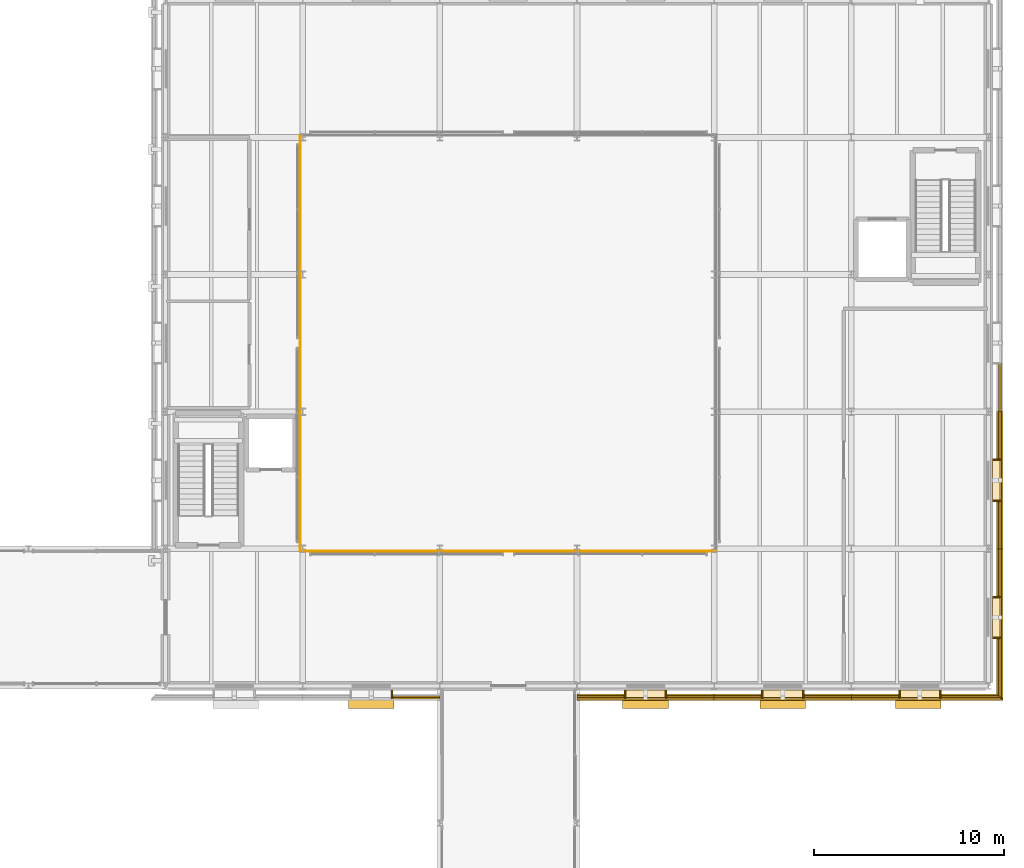
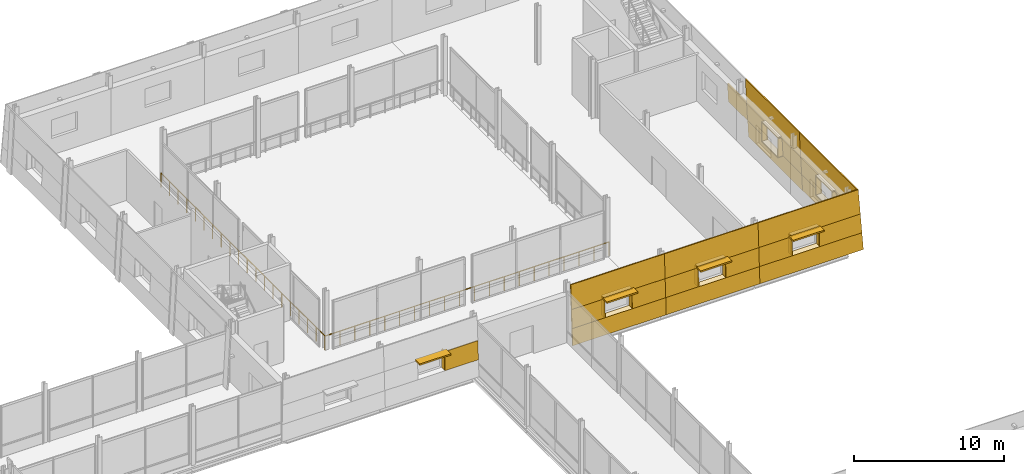
# One storey, part 119 of 121: 43 coverings, 4 shading devices, 2 railings.
"""IFC4 building model written with IfcOpenShell, lengths in metres."""

from ifc_helpers import new_model, si_unit, direction, frame, origin, origin_2d, place, context, subcontext, project, spatial, polyline, rectangle, circle, outline, extrude, material, layer, layer_set, type_object, element, save


model = new_model("IFC4")

# Units and contexts
model_context = context("Model", 3, precision=1e-05, world=origin(), true_north=direction((0.0, 1.0)))
body_context = subcontext(model_context, "Body", "Model", "MODEL_VIEW")
ifc_project = project(units=[si_unit("LENGTHUNIT", "METRE"), si_unit("AREAUNIT", "SQUARE_METRE"), si_unit("VOLUMEUNIT", "CUBIC_METRE"), si_unit("PLANEANGLEUNIT", "RADIAN"), si_unit("MASSUNIT", "GRAM", prefix="KILO")], contexts=[model_context])

# Site, building, storey
site_placement = place(None, origin())
site = spatial("IfcSite", under=ifc_project, at=site_placement, CompositionType="ELEMENT")
building_placement = place(site_placement, origin())
building = spatial("IfcBuilding", under=site, at=building_placement, Name="Narikvali Park Central Library", CompositionType="ELEMENT")
storey_placement = place(building_placement, frame((0.0, 0.0, 5.39990234375)))
storey = spatial("IfcBuildingStorey", under=building, at=storey_placement, Name="L01", CompositionType="ELEMENT", Elevation=5.39990234375)

# Railings
ifc_material_1 = material(Name="Laminated Tempered Glass and Stainless Steel", Category="steel")
ifc_layer_1 = layer(ifc_material_1, 0.06005859375, Name="Laminated Tempered Glass and Stainless Steel")
ifc_layer_set_1 = layer_set([ifc_layer_1], Name="Laminated Tempered Glass and Stainless Steel")
railing_type = type_object("IfcRailingType", Name="Atrium Void Tempered Glass Guardrail 1150", PredefinedType="GUARDRAIL", material=ifc_layer_set_1)
railing_1_placement = place(storey_placement, frame((129.47998046875, 86.280029296875, 0.0)))
element("IfcRailing", 1, at=railing_1_placement, inside=storey, type_object=railing_type, Name="V3 L01 Void Edge Guardrail S", PredefinedType="GUARDRAIL", context=body_context, shape_type="SweptSolid", body=[
    extrude(circle(Radius=0.02392578125, at=origin_2d()), frame((0.0, 0.0, 1.1259765625), z_axis=(1.0, 0.0, 0.0), x_axis=(0.0, 1.0, 0.0)), (0.0, 0.0, 1.0), 21.840087890625),
    extrude(circle(Radius=0.02099609375, at=origin_2d()), origin(), (0.0, 0.0, 1.0), 1.101806640625),
    extrude(circle(Radius=0.02099609375, at=origin_2d()), frame((1.1494140625, 0.0, 0.0)), (0.0, 0.0, 1.0), 1.101806640625),
    extrude(circle(Radius=0.02099609375, at=origin_2d()), frame((2.299072265625, 0.0, 0.0)), (0.0, 0.0, 1.0), 1.101806640625),
    extrude(circle(Radius=0.02099609375, at=origin_2d()), frame((3.448486328125, 0.0, 0.0)), (0.0, 0.0, 1.0), 1.101806640625),
    extrude(circle(Radius=0.02099609375, at=origin_2d()), frame((4.597900390625, 0.0, 0.0)), (0.0, 0.0, 1.0), 1.101806640625),
    extrude(circle(Radius=0.02099609375, at=origin_2d()), frame((5.747314453125, 0.0, 0.0)), (0.0, 0.0, 1.0), 1.101806640625),
    extrude(circle(Radius=0.02099609375, at=origin_2d()), frame((6.89697265625, 0.0, 0.0)), (0.0, 0.0, 1.0), 1.101806640625),
    extrude(circle(Radius=0.02099609375, at=origin_2d()), frame((8.04638671875, 0.0, 0.0)), (0.0, 0.0, 1.0), 1.101806640625),
    extrude(circle(Radius=0.02099609375, at=origin_2d()), frame((9.19580078125, 0.0, 0.0)), (0.0, 0.0, 1.0), 1.101806640625),
    extrude(circle(Radius=0.02099609375, at=origin_2d()), frame((10.34521484375, 0.0, 0.0)), (0.0, 0.0, 1.0), 1.101806640625),
    extrude(circle(Radius=0.02099609375, at=origin_2d()), frame((11.494873046875, 0.0, 0.0)), (0.0, 0.0, 1.0), 1.101806640625),
    extrude(circle(Radius=0.02099609375, at=origin_2d()), frame((12.644287109375, 0.0, 0.0)), (0.0, 0.0, 1.0), 1.101806640625),
    extrude(circle(Radius=0.02099609375, at=origin_2d()), frame((13.793701171875, 0.0, 0.0)), (0.0, 0.0, 1.0), 1.101806640625),
    extrude(circle(Radius=0.02099609375, at=origin_2d()), frame((14.943115234375, 0.0, 0.0)), (0.0, 0.0, 1.0), 1.101806640625),
    extrude(circle(Radius=0.02099609375, at=origin_2d()), frame((16.0927734375, 0.0, 0.0)), (0.0, 0.0, 1.0), 1.101806640625),
    extrude(circle(Radius=0.02099609375, at=origin_2d()), frame((17.2421875, 0.0, 0.0)), (0.0, 0.0, 1.0), 1.101806640625),
    extrude(circle(Radius=0.02099609375, at=origin_2d()), frame((18.3916015625, 0.0, 0.0)), (0.0, 0.0, 1.0), 1.101806640625),
    extrude(circle(Radius=0.02099609375, at=origin_2d()), frame((19.541015625, 0.0, 0.0)), (0.0, 0.0, 1.0), 1.101806640625),
    extrude(circle(Radius=0.02099609375, at=origin_2d()), frame((20.690673828125, 0.0, 0.0)), (0.0, 0.0, 1.0), 1.101806640625),
    extrude(circle(Radius=0.02099609375, at=origin_2d()), frame((21.840087890625, 0.0, 0.0)), (0.0, 0.0, 1.0), 1.101806640625),
])
railing_2_placement = place(storey_placement, frame((129.47998046875, 108.1201171875, 0.0)))
element("IfcRailing", 2, at=railing_2_placement, inside=storey, type_object=railing_type, Name="V3 L01 Void Edge Guardrail W", PredefinedType="GUARDRAIL", context=body_context, shape_type="SweptSolid", body=[
    extrude(circle(Radius=0.02392578125, at=origin_2d()), frame((0.0, 0.0, 1.1259765625), z_axis=(0.0, -1.0, 0.0), x_axis=(1.0, 0.0, 0.0)), (0.0, 0.0, 1.0), 21.840087890625),
    extrude(circle(Radius=0.02099609375, at=origin_2d()), origin(), (0.0, 0.0, 1.0), 1.101806640625),
    extrude(circle(Radius=0.02099609375, at=origin_2d()), frame((0.0, -1.1494140625, 0.0)), (0.0, 0.0, 1.0), 1.101806640625),
    extrude(circle(Radius=0.02099609375, at=origin_2d()), frame((0.0, -2.299072265625, 0.0)), (0.0, 0.0, 1.0), 1.101806640625),
    extrude(circle(Radius=0.02099609375, at=origin_2d()), frame((0.0, -3.448486328125, 0.0)), (0.0, 0.0, 1.0), 1.101806640625),
    extrude(circle(Radius=0.02099609375, at=origin_2d()), frame((0.0, -4.597900390625, 0.0)), (0.0, 0.0, 1.0), 1.101806640625),
    extrude(circle(Radius=0.02099609375, at=origin_2d()), frame((0.0, -5.747314453125, 0.0)), (0.0, 0.0, 1.0), 1.101806640625),
    extrude(circle(Radius=0.02099609375, at=origin_2d()), frame((0.0, -6.89697265625, 0.0)), (0.0, 0.0, 1.0), 1.101806640625),
    extrude(circle(Radius=0.02099609375, at=origin_2d()), frame((0.0, -8.04638671875, 0.0)), (0.0, 0.0, 1.0), 1.101806640625),
    extrude(circle(Radius=0.02099609375, at=origin_2d()), frame((0.0, -9.19580078125, 0.0)), (0.0, 0.0, 1.0), 1.101806640625),
    extrude(circle(Radius=0.02099609375, at=origin_2d()), frame((0.0, -10.34521484375, 0.0)), (0.0, 0.0, 1.0), 1.101806640625),
    extrude(circle(Radius=0.02099609375, at=origin_2d()), frame((0.0, -11.494873046875, 0.0)), (0.0, 0.0, 1.0), 1.101806640625),
    extrude(circle(Radius=0.02099609375, at=origin_2d()), frame((0.0, -12.644287109375, 0.0)), (0.0, 0.0, 1.0), 1.101806640625),
    extrude(circle(Radius=0.02099609375, at=origin_2d()), frame((0.0, -13.793701171875, 0.0)), (0.0, 0.0, 1.0), 1.101806640625),
    extrude(circle(Radius=0.02099609375, at=origin_2d()), frame((0.0, -14.943115234375, 0.0)), (0.0, 0.0, 1.0), 1.101806640625),
    extrude(circle(Radius=0.02099609375, at=origin_2d()), frame((0.0, -16.0927734375, 0.0)), (0.0, 0.0, 1.0), 1.101806640625),
    extrude(circle(Radius=0.02099609375, at=origin_2d()), frame((0.0, -17.2421875, 0.0)), (0.0, 0.0, 1.0), 1.101806640625),
    extrude(circle(Radius=0.02099609375, at=origin_2d()), frame((0.0, -18.3916015625, 0.0)), (0.0, 0.0, 1.0), 1.101806640625),
    extrude(circle(Radius=0.02099609375, at=origin_2d()), frame((0.0, -19.541015625, 0.0)), (0.0, 0.0, 1.0), 1.101806640625),
    extrude(circle(Radius=0.02099609375, at=origin_2d()), frame((0.0, -20.690673828125, 0.0)), (0.0, 0.0, 1.0), 1.101806640625),
    extrude(circle(Radius=0.02099609375, at=origin_2d()), frame((0.0, -21.840087890625, 0.0)), (0.0, 0.0, 1.0), 1.101806640625),
])

# Coverings
ifc_material_2 = material(Name="White Honed Limestone Cladding", Category="masonry")
ifc_layer_2 = layer(ifc_material_2, 0.0849609375, Name="White Honed Limestone Cladding")
ifc_layer_set_2 = layer_set([ifc_layer_2], Name="White Honed Limestone Cladding")
covering_type_1 = type_object("IfcCoveringType", Name="Battered White Limestone Facade Cladding Panel", PredefinedType="CLADDING", material=ifc_layer_set_2)
covering_1_placement = place(storey_placement, frame((134.239990234375, 78.51171875, 1.35009765625), z_axis=(0.0, -0.998637960633, 0.052174932514), x_axis=(1.0, 0.0, 0.0)))
element("IfcCovering", 3, at=covering_1_placement, inside=storey, type_object=covering_type_1, Name="V3 L01 S Battered Limestone Jamb Pier R B02", PredefinedType="CLADDING", context=body_context, shape_type="SweptSolid", body=[
    extrude(outline(polyline([(0.0, 0.0), (2.56005859375, 0.0), (2.56005859375, 1.5020458455727312), (0.0, 1.5020458455727312), (0.0, 0.0)])), origin(), (0.0, 0.0, -1.0), 0.0849609375),
])
covering_2_placement = place(storey_placement, frame((144.0, 78.44140625, 0.0), z_axis=(0.0, -0.998646611858, 0.052009082137), x_axis=(1.0, 0.0, 0.0)))
element("IfcCovering", 4, at=covering_2_placement, inside=storey, type_object=covering_type_1, Name="V3 L01 S Battered Limestone Spandrel B04", PredefinedType="CLADDING", context=body_context, shape_type="SweptSolid", body=[
    extrude(outline(polyline([(0.0, 0.0), (7.199951171875, 0.0), (7.199951171875, 1.3519273386791144), (0.0, 1.3519273386791144), (0.0, 0.0)])), origin(), (0.0, 0.0, -1.0), 0.0849609375),
])
covering_3_placement = place(storey_placement, frame((144.0, 78.590087890625, 2.85009765625), z_axis=(0.0, -0.998646348793, 0.052014133104), x_axis=(1.0, 0.0, 0.0)))
element("IfcCovering", 5, at=covering_3_placement, inside=storey, type_object=covering_type_1, Name="V3 L01 S Battered Limestone Lintel B04", PredefinedType="CLADDING", context=body_context, shape_type="SweptSolid", body=[
    extrude(outline(polyline([(0.0, 0.0), (7.199951171875, 0.0), (7.199951171875, 1.9525943035108282), (0.0, 1.9525943035108282), (0.0, 0.0)])), origin(), (0.0, 0.0, -1.0), 0.0849609375),
])
for number, where, z_axis, x_axis, name in (
    (6, (144.0, 78.51171875, 1.35009765625), (0.0, -0.998637960633, 0.052174932514), (1.0, 0.0, 0.0), "V3 L01 S Battered Limestone Jamb Pier L B04"),
    (7, (148.639892578125, 78.51171875, 1.35009765625), (0.0, -0.998637960633, 0.052174932514), (1.0, 0.0, 0.0), "V3 L01 S Battered Limestone Jamb Pier R B04"),
):
    element("IfcCovering", number, at=place(storey_placement, frame(where, z_axis=z_axis, x_axis=x_axis)), inside=storey, type_object=covering_type_1, Name=name, PredefinedType="CLADDING", context=body_context, shape_type="SweptSolid", body=[
        extrude(outline(polyline([(0.0, 0.0), (2.56005859375, 0.0), (2.56005859375, 1.5020458455727312), (0.0, 1.5020458455727312), (0.0, 0.0)])), origin(), (0.0, 0.0, -1.0), 0.0849609375),
    ])
covering_4_placement = place(storey_placement, frame((151.199951171875, 78.44140625, 0.0), z_axis=(0.0, -0.998646611858, 0.052009082137), x_axis=(1.0, 0.0, 0.0)))
element("IfcCovering", 8, at=covering_4_placement, inside=storey, type_object=covering_type_1, Name="V3 L01 S Battered Limestone Spandrel B05", PredefinedType="CLADDING", context=body_context, shape_type="SweptSolid", body=[
    extrude(outline(polyline([(0.0, 0.0), (7.199951171875, 0.0), (7.199951171875, 1.3519273386791144), (0.0, 1.3519273386791144), (0.0, 0.0)])), origin(), (0.0, 0.0, -1.0), 0.0849609375),
])
covering_5_placement = place(storey_placement, frame((151.199951171875, 78.590087890625, 2.85009765625), z_axis=(0.0, -0.998646348793, 0.052014133104), x_axis=(1.0, 0.0, 0.0)))
element("IfcCovering", 9, at=covering_5_placement, inside=storey, type_object=covering_type_1, Name="V3 L01 S Battered Limestone Lintel B05", PredefinedType="CLADDING", context=body_context, shape_type="SweptSolid", body=[
    extrude(outline(polyline([(0.0, 0.0), (7.199951171875, 0.0), (7.199951171875, 1.9525943035108282), (0.0, 1.9525943035108282), (0.0, 0.0)])), origin(), (0.0, 0.0, -1.0), 0.0849609375),
])
covering_6_placement = place(storey_placement, frame((151.199951171875, 78.51171875, 1.35009765625), z_axis=(0.0, -0.998637960633, 0.052174932514), x_axis=(1.0, 0.0, 0.0)))
element("IfcCovering", 10, at=covering_6_placement, inside=storey, type_object=covering_type_1, Name="V3 L01 S Battered Limestone Jamb Pier L B05", PredefinedType="CLADDING", context=body_context, shape_type="SweptSolid", body=[
    extrude(outline(polyline([(0.0, 0.0), (2.56005859375, 0.0), (2.56005859375, 1.5020458455727312), (0.0, 1.5020458455727312), (0.0, 0.0)])), origin(), (0.0, 0.0, -1.0), 0.0849609375),
])
covering_7_placement = place(storey_placement, frame((155.840087890625, 78.51171875, 1.35009765625), z_axis=(0.0, -0.998637960633, 0.052174932514), x_axis=(1.0, 0.0, 0.0)))
element("IfcCovering", 11, at=covering_7_placement, inside=storey, type_object=covering_type_1, Name="V3 L01 S Battered Limestone Jamb Pier R B05", PredefinedType="CLADDING", context=body_context, shape_type="SweptSolid", body=[
    extrude(outline(polyline([(0.0, 0.0), (2.559814453125, 0.0), (2.559814453125, 1.5020458455727312), (0.0, 1.5020458455727312), (0.0, 0.0)])), origin(), (0.0, 0.0, -1.0), 0.0849609375),
])
covering_8_placement = place(storey_placement, frame((158.39990234375, 78.44140625, 0.0), z_axis=(0.0, -0.998646611858, 0.052009082137), x_axis=(1.0, 0.0, 0.0)))
element("IfcCovering", 12, at=covering_8_placement, inside=storey, type_object=covering_type_1, Name="V3 L01 S Battered Limestone Spandrel B06", PredefinedType="CLADDING", context=body_context, shape_type="SweptSolid", body=[
    extrude(outline(polyline([(0.0, 0.0), (7.958740234375, 0.0), (7.88818359375, 1.3519273386791144), (0.0, 1.3519273386791144), (0.0, 0.0)])), origin(), (0.0, 0.0, -1.0), 0.0849609375),
])
covering_9_placement = place(storey_placement, frame((158.39990234375, 78.590087890625, 2.85009765625), z_axis=(0.0, -0.998646348793, 0.052014133104), x_axis=(1.0, 0.0, 0.0)))
element("IfcCovering", 13, at=covering_9_placement, inside=storey, type_object=covering_type_1, Name="V3 L01 S Battered Limestone Lintel B06", PredefinedType="CLADDING", context=body_context, shape_type="SweptSolid", body=[
    extrude(outline(polyline([(0.0, 0.0), (7.81005859375, 0.0), (7.70849609375, 1.9525943035108284), (0.0, 1.9525943035108284), (0.0, 0.0)])), origin(), (0.0, 0.0, -1.0), 0.0849609375),
])
covering_10_placement = place(storey_placement, frame((158.39990234375, 78.51171875, 1.35009765625), z_axis=(0.0, -0.998637960633, 0.052174932514), x_axis=(1.0, 0.0, 0.0)))
element("IfcCovering", 14, at=covering_10_placement, inside=storey, type_object=covering_type_1, Name="V3 L01 S Battered Limestone Jamb Pier L B06", PredefinedType="CLADDING", context=body_context, shape_type="SweptSolid", body=[
    extrude(outline(polyline([(0.0, 0.0), (2.56005859375, 0.0), (2.56005859375, 1.5020458455727312), (0.0, 1.5020458455727312), (0.0, 0.0)])), origin(), (0.0, 0.0, -1.0), 0.0849609375),
])
covering_11_placement = place(storey_placement, frame((163.0400390625, 78.51171875, 1.35009765625), z_axis=(0.0, -0.998637960633, 0.052174932514), x_axis=(1.0, 0.0, 0.0)))
element("IfcCovering", 15, at=covering_11_placement, inside=storey, type_object=covering_type_1, Name="V3 L01 S Battered Limestone Jamb Pier R B06", PredefinedType="CLADDING", context=body_context, shape_type="SweptSolid", body=[
    extrude(outline(polyline([(0.0, 0.0), (3.248046875, 0.0), (3.169921875, 1.502045845572731), (0.0, 1.502045845572731), (0.0, 0.0)])), origin(), (0.0, 0.0, -1.0), 0.0849609375),
])
covering_12_placement = place(storey_placement, frame((166.358642578125, 78.5263671875, 0.0), z_axis=(0.998637216249, 0.0, 0.052189178209), x_axis=(0.0, 1.0, 0.0)))
element("IfcCovering", 16, at=covering_12_placement, inside=storey, type_object=covering_type_1, Name="V3 L01 E Battered Limestone Spandrel B01", PredefinedType="CLADDING", context=body_context, shape_type="SweptSolid", body=[
    extrude(outline(polyline([(0.0, 0.0), (7.87353515625, 0.0), (7.87353515625, 1.3519400581934204), (0.0703125, 1.3519400581934204), (0.0, 0.0)])), origin(), (0.0, 0.0, -1.0), 0.0849609375),
])
covering_13_placement = place(storey_placement, frame((166.2099609375, 78.675048828125, 2.85009765625), z_axis=(0.998646348793, 0.0, 0.052014133104), x_axis=(0.0, 1.0, 0.0)))
element("IfcCovering", 17, at=covering_13_placement, inside=storey, type_object=covering_type_1, Name="V3 L01 E Battered Limestone Lintel B01", PredefinedType="CLADDING", context=body_context, shape_type="SweptSolid", body=[
    extrude(outline(polyline([(0.0, 0.0), (7.724853515625, 0.0), (7.724853515625, 1.9525943035108284), (0.1015625, 1.9525943035108284), (0.0, 0.0)])), origin(), (0.0, 0.0, -1.0), 0.0849609375),
])
covering_14_placement = place(storey_placement, frame((166.2880859375, 78.5966796875, 1.35009765625), z_axis=(0.998646416446, 0.0, 0.05201283419), x_axis=(0.0, 1.0, 0.0)))
element("IfcCovering", 18, at=covering_14_placement, inside=storey, type_object=covering_type_1, Name="V3 L01 E Battered Limestone Jamb Pier L B01", PredefinedType="CLADDING", context=body_context, shape_type="SweptSolid", body=[
    extrude(outline(polyline([(0.0, 0.0), (3.163330078125, 0.0), (3.163330078125, 1.502033127339407), (0.078369140625, 1.502033127339407), (0.0, 0.0)])), origin(), (0.0, 0.0, -1.0), 0.0849609375),
])
covering_15_placement = place(storey_placement, frame((166.2880859375, 83.840087890625, 1.35009765625), z_axis=(0.998646416446, 0.0, 0.05201283419), x_axis=(0.0, 1.0, 0.0)))
element("IfcCovering", 19, at=covering_15_placement, inside=storey, type_object=covering_type_1, Name="V3 L01 E Battered Limestone Jamb Pier R B01", PredefinedType="CLADDING", context=body_context, shape_type="SweptSolid", body=[
    extrude(outline(polyline([(0.0, 0.0), (2.559814453125, 0.0), (2.559814453125, 1.5020331273394074), (0.0, 1.5020331273394074), (0.0, 0.0)])), origin(), (0.0, 0.0, -1.0), 0.0849609375),
])
covering_16_placement = place(storey_placement, frame((166.358642578125, 86.39990234375, 0.0), z_axis=(0.998637216249, 0.0, 0.052189178209), x_axis=(0.0, 1.0, 0.0)))
element("IfcCovering", 20, at=covering_16_placement, inside=storey, type_object=covering_type_1, Name="V3 L01 E Battered Limestone Spandrel B02", PredefinedType="CLADDING", context=body_context, shape_type="SweptSolid", body=[
    extrude(outline(polyline([(0.0, 0.0), (7.2001953125, 0.0), (7.2001953125, 1.3519400581934202), (0.0, 1.3519400581934202), (0.0, 0.0)])), origin(), (0.0, 0.0, -1.0), 0.0849609375),
])
covering_17_placement = place(storey_placement, frame((166.2099609375, 86.39990234375, 2.85009765625), z_axis=(0.998646348793, 0.0, 0.052014133104), x_axis=(0.0, 1.0, 0.0)))
element("IfcCovering", 21, at=covering_17_placement, inside=storey, type_object=covering_type_1, Name="V3 L01 E Battered Limestone Lintel B02", PredefinedType="CLADDING", context=body_context, shape_type="SweptSolid", body=[
    extrude(outline(polyline([(0.0, 0.0), (7.2001953125, 0.0), (7.2001953125, 1.9525943035108282), (0.0, 1.9525943035108282), (0.0, 0.0)])), origin(), (0.0, 0.0, -1.0), 0.0849609375),
])
for number, where, z_axis, x_axis, name in (
    (22, (166.2880859375, 86.39990234375, 1.35009765625), (0.998646416446, 0.0, 0.05201283419), (0.0, 1.0, 0.0), "V3 L01 E Battered Limestone Jamb Pier L B02"),
    (23, (166.2880859375, 91.0400390625, 1.35009765625), (0.998646416446, 0.0, 0.05201283419), (0.0, 1.0, 0.0), "V3 L01 E Battered Limestone Jamb Pier R B02"),
):
    element("IfcCovering", number, at=place(storey_placement, frame(where, z_axis=z_axis, x_axis=x_axis)), inside=storey, type_object=covering_type_1, Name=name, PredefinedType="CLADDING", context=body_context, shape_type="SweptSolid", body=[
        extrude(outline(polyline([(0.0, 0.0), (2.56005859375, 0.0), (2.56005859375, 1.5020331273394072), (0.0, 1.5020331273394072), (0.0, 0.0)])), origin(), (0.0, 0.0, -1.0), 0.0849609375),
    ])
covering_18_placement = place(storey_placement, frame((166.2880859375, 93.60009765625, 1.35009765625), z_axis=(0.998646416446, 0.0, 0.05201283419), x_axis=(0.0, 1.0, 0.0)))
element("IfcCovering", 24, at=covering_18_placement, inside=storey, type_object=covering_type_1, Name="V3 L01 E Battered Limestone Jamb Pier L B03", PredefinedType="CLADDING", context=body_context, shape_type="SweptSolid", body=[
    extrude(outline(polyline([(0.0, 0.0), (2.559814453125, 0.0), (2.559814453125, 1.5020331273394074), (0.0, 1.5020331273394074), (0.0, 0.0)])), origin(), (0.0, 0.0, -1.0), 0.0849609375),
])

# Shading devices
ifc_material_3 = material(Name="Anodised Bronze Aluminium", Category="aluminium")
ifc_layer_3 = layer(ifc_material_3, 0.1201171875, Name="Anodised Bronze Aluminium")
ifc_layer_set_3 = layer_set([ifc_layer_3], Name="Anodised Bronze Aluminium")
shading_device_type = type_object("IfcShadingDeviceType", Name="Bronze Classical Cornice Sun Brise-Soleil 650", PredefinedType="SHUTTER", material=ifc_layer_set_3)
for number, where, z_axis, x_axis, name in (
    (25, (133.199951171875, 78.35009765625, 2.85009765625), (0.0, 0.0, 1.0), (1.0, 0.0, 0.0), "V3 L01 Classical Bronze Brise-Soleil 02"),
    (26, (147.60009765625, 78.35009765625, 2.85009765625), (0.0, 0.0, 1.0), (1.0, 0.0, 0.0), "V3 L01 Classical Bronze Brise-Soleil 04"),
    (27, (154.800048828125, 78.35009765625, 2.85009765625), (0.0, 0.0, 1.0), (1.0, 0.0, 0.0), "V3 L01 Classical Bronze Brise-Soleil 05"),
    (28, (161.923095703125, 78.35009765625, 2.85009765625), (0.0, 0.0, 1.0), (1.0, 0.0, 0.0), "V3 L01 Classical Bronze Brise-Soleil 06"),
):
    element("IfcShadingDevice", number, at=place(storey_placement, frame(where, z_axis=z_axis, x_axis=x_axis)), inside=storey, type_object=shading_device_type, Name=name, PredefinedType="SHUTTER", context=body_context, shape_type="SweptSolid", body=[
        extrude(rectangle(XDim=2.39990234375, YDim=0.64990234375, at=origin_2d()), origin(), (0.0, 0.0, 1.0), 0.1201171875),
    ])

# Coverings
ifc_layer_4 = layer(ifc_material_2, 0.080078125, Name="White Honed Limestone Cladding")
ifc_layer_set_4 = layer_set([ifc_layer_4], Name="White Honed Limestone Cladding")
covering_type_2 = type_object("IfcCoveringType", Name="Deep Carved White Limestone Window Reveal", PredefinedType="CLADDING", material=ifc_layer_set_4)
covering_19_placement = place(storey_placement, frame((0.0, 0.0, 1.35009765625)))
element("IfcCovering", 29, at=covering_19_placement, inside=storey, type_object=covering_type_2, Name="Deep Stone Reveal Jamb R V3-RVL-L01-S-B02", PredefinedType="CLADDING", context=body_context, shape_type="SweptSolid", body=[
    extrude(outline(polyline([(134.239990234375, 78.97509765625), (134.320068359375, 78.97509765625), (134.320068359375, 78.590087890625), (134.239990234375, 78.590087890625), (134.239990234375, 78.97509765625)])), origin(), (0.0, 0.0, 1.0), 1.5),
])
covering_20_placement = place(storey_placement, frame((0.0, 0.0, 2.85009765625)))
element("IfcCovering", 30, at=covering_20_placement, inside=storey, type_object=covering_type_2, Name="Deep Stone Reveal Head V3-RVL-L01-S-B04", PredefinedType="CLADDING", context=body_context, shape_type="SweptSolid", body=[
    extrude(outline(polyline([(146.52001953125, 78.97509765625), (148.679931640625, 78.97509765625), (148.679931640625, 78.590087890625), (146.52001953125, 78.590087890625), (146.52001953125, 78.97509765625)])), origin(), (0.0, 0.0, 1.0), 0.080078125),
])
covering_21_placement = place(storey_placement, frame((0.0, 0.0, 1.27001953125)))
element("IfcCovering", 31, at=covering_21_placement, inside=storey, type_object=covering_type_2, Name="Deep Stone Reveal Sill V3-RVL-L01-S-B04", PredefinedType="CLADDING", context=body_context, shape_type="SweptSolid", body=[
    extrude(outline(polyline([(146.52001953125, 78.97509765625), (148.679931640625, 78.97509765625), (148.679931640625, 78.51171875), (146.52001953125, 78.51171875), (146.52001953125, 78.97509765625)])), origin(), (0.0, 0.0, 1.0), 0.080078125),
])
covering_22_placement = place(storey_placement, frame((0.0, 0.0, 1.35009765625)))
element("IfcCovering", 32, at=covering_22_placement, inside=storey, type_object=covering_type_2, Name="Deep Stone Reveal Jamb L V3-RVL-L01-S-B04", PredefinedType="CLADDING", context=body_context, shape_type="SweptSolid", body=[
    extrude(outline(polyline([(146.47998046875, 78.97509765625), (146.56005859375, 78.97509765625), (146.56005859375, 78.590087890625), (146.47998046875, 78.590087890625), (146.47998046875, 78.97509765625)])), origin(), (0.0, 0.0, 1.0), 1.5),
])
covering_23_placement = place(storey_placement, frame((0.0, 0.0, 1.35009765625)))
element("IfcCovering", 33, at=covering_23_placement, inside=storey, type_object=covering_type_2, Name="Deep Stone Reveal Jamb R V3-RVL-L01-S-B04", PredefinedType="CLADDING", context=body_context, shape_type="SweptSolid", body=[
    extrude(outline(polyline([(148.639892578125, 78.97509765625), (148.719970703125, 78.97509765625), (148.719970703125, 78.590087890625), (148.639892578125, 78.590087890625), (148.639892578125, 78.97509765625)])), origin(), (0.0, 0.0, 1.0), 1.5),
])
covering_24_placement = place(storey_placement, frame((0.0, 0.0, 2.85009765625)))
element("IfcCovering", 34, at=covering_24_placement, inside=storey, type_object=covering_type_2, Name="Deep Stone Reveal Head V3-RVL-L01-S-B05", PredefinedType="CLADDING", context=body_context, shape_type="SweptSolid", body=[
    extrude(outline(polyline([(153.719970703125, 78.97509765625), (155.8798828125, 78.97509765625), (155.8798828125, 78.590087890625), (153.719970703125, 78.590087890625), (153.719970703125, 78.97509765625)])), origin(), (0.0, 0.0, 1.0), 0.080078125),
])
covering_25_placement = place(storey_placement, frame((0.0, 0.0, 1.27001953125)))
element("IfcCovering", 35, at=covering_25_placement, inside=storey, type_object=covering_type_2, Name="Deep Stone Reveal Sill V3-RVL-L01-S-B05", PredefinedType="CLADDING", context=body_context, shape_type="SweptSolid", body=[
    extrude(outline(polyline([(153.719970703125, 78.97509765625), (155.8798828125, 78.97509765625), (155.8798828125, 78.51171875), (153.719970703125, 78.51171875), (153.719970703125, 78.97509765625)])), origin(), (0.0, 0.0, 1.0), 0.080078125),
])
covering_26_placement = place(storey_placement, frame((0.0, 0.0, 1.35009765625)))
element("IfcCovering", 36, at=covering_26_placement, inside=storey, type_object=covering_type_2, Name="Deep Stone Reveal Jamb L V3-RVL-L01-S-B05", PredefinedType="CLADDING", context=body_context, shape_type="SweptSolid", body=[
    extrude(outline(polyline([(153.679931640625, 78.97509765625), (153.760009765625, 78.97509765625), (153.760009765625, 78.590087890625), (153.679931640625, 78.590087890625), (153.679931640625, 78.97509765625)])), origin(), (0.0, 0.0, 1.0), 1.5),
])
covering_27_placement = place(storey_placement, frame((0.0, 0.0, 1.35009765625)))
element("IfcCovering", 37, at=covering_27_placement, inside=storey, type_object=covering_type_2, Name="Deep Stone Reveal Jamb R V3-RVL-L01-S-B05", PredefinedType="CLADDING", context=body_context, shape_type="SweptSolid", body=[
    extrude(outline(polyline([(155.840087890625, 78.97509765625), (155.919921875, 78.97509765625), (155.919921875, 78.590087890625), (155.840087890625, 78.590087890625), (155.840087890625, 78.97509765625)])), origin(), (0.0, 0.0, 1.0), 1.5),
])
covering_28_placement = place(storey_placement, frame((0.0, 0.0, 2.85009765625)))
element("IfcCovering", 38, at=covering_28_placement, inside=storey, type_object=covering_type_2, Name="Deep Stone Reveal Head V3-RVL-L01-S-B06", PredefinedType="CLADDING", context=body_context, shape_type="SweptSolid", body=[
    extrude(outline(polyline([(160.919921875, 78.97509765625), (163.080078125, 78.97509765625), (163.080078125, 78.590087890625), (160.919921875, 78.590087890625), (160.919921875, 78.97509765625)])), origin(), (0.0, 0.0, 1.0), 0.080078125),
])
covering_29_placement = place(storey_placement, frame((0.0, 0.0, 1.27001953125)))
element("IfcCovering", 39, at=covering_29_placement, inside=storey, type_object=covering_type_2, Name="Deep Stone Reveal Sill V3-RVL-L01-S-B06", PredefinedType="CLADDING", context=body_context, shape_type="SweptSolid", body=[
    extrude(outline(polyline([(160.919921875, 78.97509765625), (163.080078125, 78.97509765625), (163.080078125, 78.51171875), (160.919921875, 78.51171875), (160.919921875, 78.97509765625)])), origin(), (0.0, 0.0, 1.0), 0.080078125),
])
covering_30_placement = place(storey_placement, frame((0.0, 0.0, 1.35009765625)))
element("IfcCovering", 40, at=covering_30_placement, inside=storey, type_object=covering_type_2, Name="Deep Stone Reveal Jamb L V3-RVL-L01-S-B06", PredefinedType="CLADDING", context=body_context, shape_type="SweptSolid", body=[
    extrude(outline(polyline([(160.8798828125, 78.97509765625), (160.9599609375, 78.97509765625), (160.9599609375, 78.590087890625), (160.8798828125, 78.590087890625), (160.8798828125, 78.97509765625)])), origin(), (0.0, 0.0, 1.0), 1.5),
])
covering_31_placement = place(storey_placement, frame((0.0, 0.0, 1.35009765625)))
element("IfcCovering", 41, at=covering_31_placement, inside=storey, type_object=covering_type_2, Name="Deep Stone Reveal Jamb R V3-RVL-L01-S-B06", PredefinedType="CLADDING", context=body_context, shape_type="SweptSolid", body=[
    extrude(outline(polyline([(163.0400390625, 78.97509765625), (163.1201171875, 78.97509765625), (163.1201171875, 78.590087890625), (163.0400390625, 78.590087890625), (163.0400390625, 78.97509765625)])), origin(), (0.0, 0.0, 1.0), 1.5),
])
covering_32_placement = place(storey_placement, frame((0.0, 0.0, 2.85009765625)))
element("IfcCovering", 42, at=covering_32_placement, inside=storey, type_object=covering_type_2, Name="Deep Stone Reveal Head V3-RVL-L01-E-B01", PredefinedType="CLADDING", context=body_context, shape_type="SweptSolid", body=[
    extrude(outline(polyline([(165.824951171875, 81.719970703125), (165.824951171875, 83.8798828125), (166.2099609375, 83.8798828125), (166.2099609375, 81.719970703125), (165.824951171875, 81.719970703125)])), origin(), (0.0, 0.0, 1.0), 0.080078125),
])
covering_33_placement = place(storey_placement, frame((0.0, 0.0, 1.27001953125)))
element("IfcCovering", 43, at=covering_33_placement, inside=storey, type_object=covering_type_2, Name="Deep Stone Reveal Sill V3-RVL-L01-E-B01", PredefinedType="CLADDING", context=body_context, shape_type="SweptSolid", body=[
    extrude(outline(polyline([(165.824951171875, 81.719970703125), (165.824951171875, 83.8798828125), (166.2880859375, 83.8798828125), (166.2880859375, 81.719970703125), (165.824951171875, 81.719970703125)])), origin(), (0.0, 0.0, 1.0), 0.080078125),
])
covering_34_placement = place(storey_placement, frame((0.0, 0.0, 1.35009765625)))
element("IfcCovering", 44, at=covering_34_placement, inside=storey, type_object=covering_type_2, Name="Deep Stone Reveal Jamb L V3-RVL-L01-E-B01", PredefinedType="CLADDING", context=body_context, shape_type="SweptSolid", body=[
    extrude(outline(polyline([(165.824951171875, 81.679931640625), (165.824951171875, 81.760009765625), (166.2099609375, 81.760009765625), (166.2099609375, 81.679931640625), (165.824951171875, 81.679931640625)])), origin(), (0.0, 0.0, 1.0), 1.5),
])
covering_35_placement = place(storey_placement, frame((0.0, 0.0, 1.35009765625)))
element("IfcCovering", 45, at=covering_35_placement, inside=storey, type_object=covering_type_2, Name="Deep Stone Reveal Jamb R V3-RVL-L01-E-B01", PredefinedType="CLADDING", context=body_context, shape_type="SweptSolid", body=[
    extrude(outline(polyline([(165.824951171875, 83.840087890625), (165.824951171875, 83.919921875), (166.2099609375, 83.919921875), (166.2099609375, 83.840087890625), (165.824951171875, 83.840087890625)])), origin(), (0.0, 0.0, 1.0), 1.5),
])
covering_36_placement = place(storey_placement, frame((0.0, 0.0, 2.85009765625)))
element("IfcCovering", 46, at=covering_36_placement, inside=storey, type_object=covering_type_2, Name="Deep Stone Reveal Head V3-RVL-L01-E-B02", PredefinedType="CLADDING", context=body_context, shape_type="SweptSolid", body=[
    extrude(outline(polyline([(165.824951171875, 88.919921875), (165.824951171875, 91.080078125), (166.2099609375, 91.080078125), (166.2099609375, 88.919921875), (165.824951171875, 88.919921875)])), origin(), (0.0, 0.0, 1.0), 0.080078125),
])
covering_37_placement = place(storey_placement, frame((0.0, 0.0, 1.27001953125)))
element("IfcCovering", 47, at=covering_37_placement, inside=storey, type_object=covering_type_2, Name="Deep Stone Reveal Sill V3-RVL-L01-E-B02", PredefinedType="CLADDING", context=body_context, shape_type="SweptSolid", body=[
    extrude(outline(polyline([(165.824951171875, 88.919921875), (165.824951171875, 91.080078125), (166.2880859375, 91.080078125), (166.2880859375, 88.919921875), (165.824951171875, 88.919921875)])), origin(), (0.0, 0.0, 1.0), 0.080078125),
])
covering_38_placement = place(storey_placement, frame((0.0, 0.0, 1.35009765625)))
element("IfcCovering", 48, at=covering_38_placement, inside=storey, type_object=covering_type_2, Name="Deep Stone Reveal Jamb L V3-RVL-L01-E-B02", PredefinedType="CLADDING", context=body_context, shape_type="SweptSolid", body=[
    extrude(outline(polyline([(165.824951171875, 88.8798828125), (165.824951171875, 88.9599609375), (166.2099609375, 88.9599609375), (166.2099609375, 88.8798828125), (165.824951171875, 88.8798828125)])), origin(), (0.0, 0.0, 1.0), 1.5),
])
covering_39_placement = place(storey_placement, frame((0.0, 0.0, 1.35009765625)))
element("IfcCovering", 49, at=covering_39_placement, inside=storey, type_object=covering_type_2, Name="Deep Stone Reveal Jamb R V3-RVL-L01-E-B02", PredefinedType="CLADDING", context=body_context, shape_type="SweptSolid", body=[
    extrude(outline(polyline([(165.824951171875, 91.0400390625), (165.824951171875, 91.1201171875), (166.2099609375, 91.1201171875), (166.2099609375, 91.0400390625), (165.824951171875, 91.0400390625)])), origin(), (0.0, 0.0, 1.0), 1.5),
])

save(model, "model.ifc")
